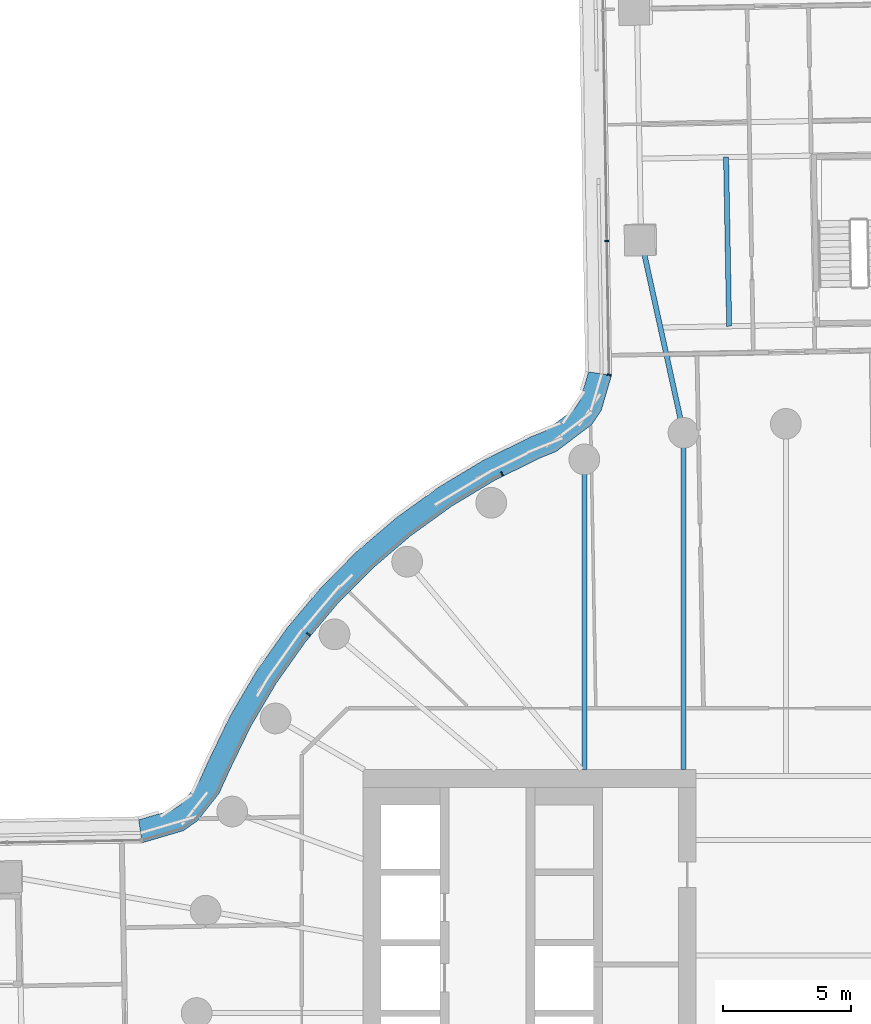
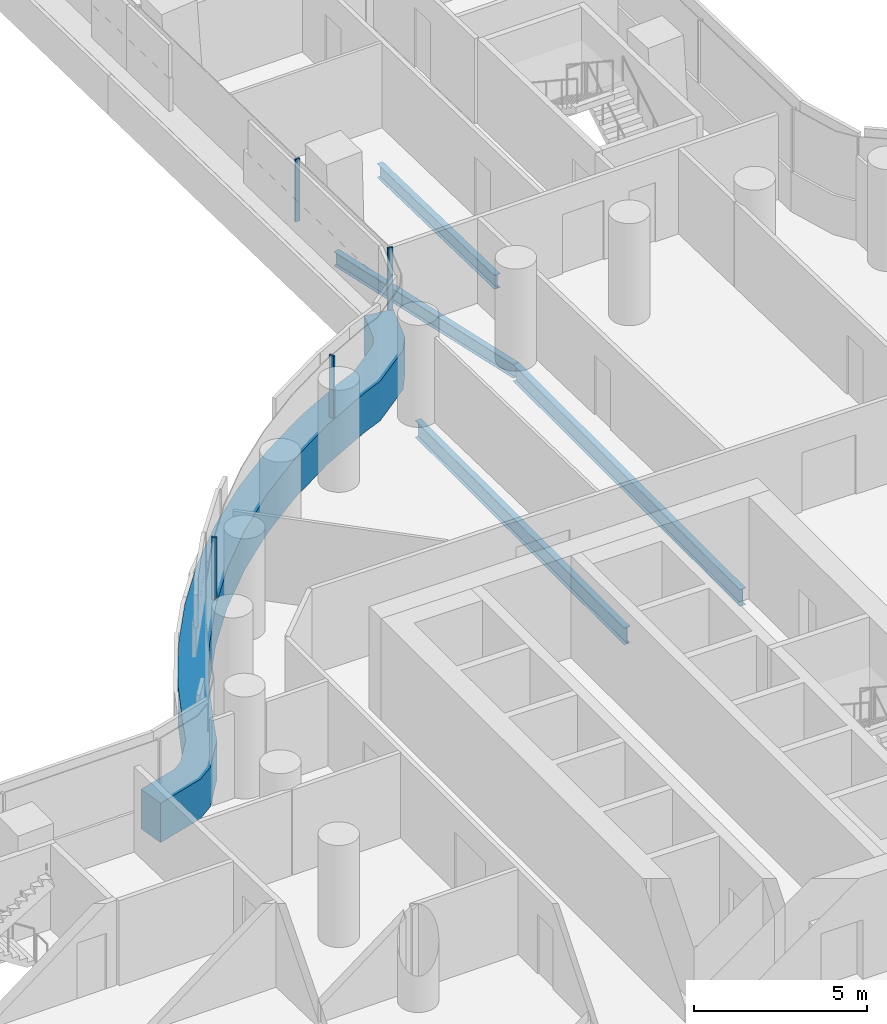
# One storey, part 13 of 31: 5 members, 4 beams, 2 elements without a shape of their own.
"""IFC4 building model written with IfcOpenShell, lengths in metres."""

import ifcopenshell
import ifcopenshell.guid

model = None  # the IFC model being written
_history = None  # IfcOwnerHistory: only IFC2X3 demands one
_inside = {}  # id of a spatial element -> (the spatial element, [elements in it])
_under = {}  # id of a project, library or spatial element -> (it, [spatial elements below it])
_declared = {}  # id of a project -> (the project, [libraries it declares])
_typed = {}  # id of a type object -> (the type object, [elements of that type])
_made_of = {}  # id of a material, layer set ... -> (it, [elements and type objects made of it])


def new_model(schema):
    """Start an empty IFC model of exactly this schema.

    Asked for "IFC4X3", IfcOpenShell would pick the latest addendum, in which some entities
    have other attributes; the version numbers below select the first issue.
    IFC2X3 requires an IfcOwnerHistory on every rooted entity: one is made here for all.
    """
    global model, _history
    if schema == "IFC4X3":
        model = ifcopenshell.file(schema_version=(4, 3, 0, 0))
    else:
        model = ifcopenshell.file(schema=schema)
    _inside.clear()
    _under.clear()
    _declared.clear()
    _typed.clear()
    _made_of.clear()
    _history = None
    if model.schema == "IFC2X3":
        org = make("IfcOrganization", Name="unknown")
        user = make(
            "IfcPersonAndOrganization",
            ThePerson=make("IfcPerson", FamilyName="unknown"),
            TheOrganization=org,
        )
        app = make(
            "IfcApplication",
            ApplicationDeveloper=org,
            Version="unknown",
            ApplicationFullName="unknown",
            ApplicationIdentifier="unknown",
        )
        _history = make(
            "IfcOwnerHistory",
            OwningUser=user,
            OwningApplication=app,
            ChangeAction="ADDED",
            CreationDate=0,
        )
    return model


def make(cls, **values):
    """One entity of the class cls with the attributes given. An attribute that is None is left unset."""
    return model.create_entity(
        cls, **{name: value for name, value in values.items() if value is not None}
    )


def rooted(cls, **values):
    """An entity with a GlobalId (a new one), such as an element, a storey or a relation."""
    return make(cls, GlobalId=ifcopenshell.guid.new(), OwnerHistory=_history, **values)


def si_unit(unit_type, name, prefix=None):
    """IfcSIUnit, for example si_unit("LENGTHUNIT", "METRE", prefix="MILLI")."""
    return make("IfcSIUnit", UnitType=unit_type, Prefix=prefix, Name=name)


def assignment(units):
    """IfcUnitAssignment: the units of a project."""
    return None if units is None else make("IfcUnitAssignment", Units=units)


def point(xyz):
    """IfcCartesianPoint."""
    return None if xyz is None else make("IfcCartesianPoint", Coordinates=xyz)


def direction(xyz):
    """IfcDirection."""
    return None if xyz is None else make("IfcDirection", DirectionRatios=xyz)


def frame(location, z_axis=None, x_axis=None):
    """IfcAxis2Placement3D, a coordinate frame: its origin and axes. An axis left out is left unset."""
    return make(
        "IfcAxis2Placement3D",
        Location=point(location),
        Axis=direction(z_axis),
        RefDirection=direction(x_axis),
    )


def frame_2d(location, x_axis=None):
    """IfcAxis2Placement2D, a coordinate frame in the plane: its origin and x axis."""
    return make(
        "IfcAxis2Placement2D", Location=point(location), RefDirection=direction(x_axis)
    )


def origin():
    """The frame at (0, 0, 0) with its axes left unset."""
    return frame((0.0, 0.0, 0.0))


def origin_2d():
    """The frame at (0, 0) in the plane with its x axis left unset."""
    return frame_2d((0.0, 0.0))


def place(relative_to, where):
    """IfcLocalPlacement: puts the frame where relative to a parent placement (None: the world)."""
    return make(
        "IfcLocalPlacement", PlacementRelTo=relative_to, RelativePlacement=where
    )


def context(
    kind, dimensions, precision=None, world=None, true_north=None, identifier=None
):
    """IfcGeometricRepresentationContext, for example the 3D "Model" context."""
    return make(
        "IfcGeometricRepresentationContext",
        ContextIdentifier=identifier,
        ContextType=kind,
        CoordinateSpaceDimension=dimensions,
        Precision=precision,
        WorldCoordinateSystem=world,
        TrueNorth=true_north,
    )


def subcontext(parent, identifier, kind, view, scale=None):
    """IfcGeometricRepresentationSubContext, for example "Body" below "Model"."""
    return make(
        "IfcGeometricRepresentationSubContext",
        ContextIdentifier=identifier,
        ContextType=kind,
        ParentContext=parent,
        TargetScale=scale,
        TargetView=view,
    )


def project(units=None, contexts=None):
    """IfcProject with its units and contexts."""
    return rooted(
        "IfcProject",
        Name="project",
        RepresentationContexts=contexts,
        UnitsInContext=assignment(units),
    )


def spatial(cls, under=None, at=None, **own):
    """A site, building, storey or space (cls), placed at a placement, below another one or the project."""
    s = rooted(cls, ObjectPlacement=at, **own)
    if under is not None:
        _under.setdefault(under.id(), (under, []))[1].append(s)
    return s


def polyline(points):
    """IfcPolyline through the points."""
    return make("IfcPolyline", Points=[point(p) for p in points])


def profile(cls, at=None, kind="AREA", **sizes):
    """A parametric profile (cls). Its sizes go by their IFC names, for example OverallWidth=200.0."""
    return make(cls, ProfileType=kind, Position=at, **sizes)


def rectangle(**sizes):
    """IfcRectangleProfileDef."""
    return profile("IfcRectangleProfileDef", **sizes)


def i_section(**sizes):
    """IfcIShapeProfileDef."""
    return profile("IfcIShapeProfileDef", **sizes)


def outline(outer, holes=None, kind="AREA"):
    """IfcArbitraryClosedProfileDef: a profile drawn as a closed curve; with holes, ...WithVoids."""
    if holes is None:
        return make("IfcArbitraryClosedProfileDef", ProfileType=kind, OuterCurve=outer)
    return make(
        "IfcArbitraryProfileDefWithVoids",
        ProfileType=kind,
        OuterCurve=outer,
        InnerCurves=holes,
    )


def extrude(swept, where, along, depth):
    """IfcExtrudedAreaSolid: the profile swept, set in the frame where, extruded along a direction by depth."""
    return make(
        "IfcExtrudedAreaSolid",
        SweptArea=swept,
        Position=where,
        ExtrudedDirection=direction(along),
        Depth=depth,
    )


def shape(context_of_items, identifier, shape_type, items):
    """IfcShapeRepresentation: the items that make up one representation, for example the "Body"."""
    return make(
        "IfcShapeRepresentation",
        ContextOfItems=context_of_items,
        RepresentationIdentifier=identifier,
        RepresentationType=shape_type,
        Items=items,
    )


def material(Name=None, Category=None):
    """IfcMaterial."""
    return make("IfcMaterial", Name=Name, Category=Category)


def layer(
    of_material, thickness, ventilated=None, Name=None, Category=None, Priority=None
):
    """IfcMaterialLayer: one layer of a wall or slab, of a material (None: an air gap)."""
    return make(
        "IfcMaterialLayer",
        Material=of_material,
        LayerThickness=thickness,
        IsVentilated=ventilated,
        Name=Name,
        Category=Category,
        Priority=Priority,
    )


def layer_set(layers, Name=None):
    """IfcMaterialLayerSet."""
    return make("IfcMaterialLayerSet", MaterialLayers=layers, LayerSetName=Name)


def material_profile(
    of_material, cross_section, Name=None, Category=None, Priority=None
):
    """IfcMaterialProfile: a cross section and its material."""
    return make(
        "IfcMaterialProfile",
        Name=Name,
        Material=of_material,
        Profile=cross_section,
        Priority=Priority,
        Category=Category,
    )


def profile_set(profiles, Name=None, composite=None):
    """IfcMaterialProfileSet."""
    return make(
        "IfcMaterialProfileSet",
        Name=Name,
        MaterialProfiles=profiles,
        CompositeProfile=composite,
    )


def made_of(thing, what):
    """Note that an element or type object is made of a material, layer set ...; save() writes the relation."""
    if what is not None:
        _made_of.setdefault(what.id(), (what, []))[1].append(thing)
    return thing


def type_object(cls, material=None, **own):
    """A type object (cls), such as IfcWallType, which elements share."""
    return made_of(rooted(cls, **own), material)


def element(
    cls,
    number,
    at=None,
    inside=None,
    cuts=None,
    type_object=None,
    material=None,
    context=None,
    identifier="Body",
    shape_type=None,
    held_by="IfcProductDefinitionShape",
    body=None,
    shapes=None,
    **own,
):
    """One element of the class cls, such as IfcWall. Its Tag is "e" and its number.

    at: its placement. inside: the storey or other place that contains it. cuts: it is an
    opening in that element (IfcRelVoidsElement). A single representation is given by context,
    identifier, shape_type and body (its items); several are given by shapes. held_by: the class
    of the entity that holds the representations. save() writes the other relations.
    """
    e = rooted(cls, Tag="e%d" % number, ObjectPlacement=at, **own)
    if body is not None:
        shapes = [shape(context, identifier, shape_type, body)]
    if shapes is not None:
        e.Representation = make(held_by, Representations=shapes)
    if inside is not None:
        _inside.setdefault(inside.id(), (inside, []))[1].append(e)
    if cuts is not None:
        rooted(
            "IfcRelVoidsElement", RelatingBuildingElement=cuts, RelatedOpeningElement=e
        )
    if type_object is not None:
        _typed.setdefault(type_object.id(), (type_object, []))[1].append(e)
    return made_of(e, material)


def aggregate(whole, parts):
    """IfcRelAggregates: a whole, such as a stair, and the parts it consists of."""
    return rooted("IfcRelAggregates", RelatingObject=whole, RelatedObjects=parts)


def save(model, path):
    """Write the relations noted so far, then the file.

    IfcRelAggregates (storeys below a building ...), IfcRelContainedInSpatialStructure (elements
    in a storey), IfcRelDefinesByType, IfcRelAssociatesMaterial and IfcRelDeclares: one each for
    every whole, place, type object, material and project.
    """
    for whole, parts in _under.values():
        aggregate(whole, parts)
    for where, things in _inside.values():
        rooted(
            "IfcRelContainedInSpatialStructure",
            RelatedElements=things,
            RelatingStructure=where,
        )
    for kind, things in _typed.values():
        rooted("IfcRelDefinesByType", RelatedObjects=things, RelatingType=kind)
    for what, things in _made_of.values():
        rooted("IfcRelAssociatesMaterial", RelatedObjects=things, RelatingMaterial=what)
    for by, libraries in _declared.values():
        rooted("IfcRelDeclares", RelatingContext=by, RelatedDefinitions=libraries)
    model.write(path)


model = new_model("IFC4")

# Units and contexts
model_context = context("Model", 3, precision=1e-05, world=origin(), true_north=direction((0.0, 1.0)))
body_context = subcontext(model_context, "Body", "Model", "MODEL_VIEW")
ifc_project = project(units=[si_unit("LENGTHUNIT", "METRE"), si_unit("AREAUNIT", "SQUARE_METRE"), si_unit("VOLUMEUNIT", "CUBIC_METRE"), si_unit("PLANEANGLEUNIT", "RADIAN"), si_unit("MASSUNIT", "GRAM", prefix="KILO")], contexts=[model_context])

# Site, building, storey
site_placement = place(None, origin())
site = spatial("IfcSite", under=ifc_project, at=site_placement, CompositionType="ELEMENT")
building_placement = place(site_placement, origin())
building = spatial("IfcBuilding", under=site, at=building_placement, Name="Tamarind Cross Interchange Tower", CompositionType="ELEMENT")
storey_placement = place(building_placement, frame((0.0, 0.0, 37.75)))
storey = spatial("IfcBuildingStorey", under=building, at=storey_placement, Name="L07", CompositionType="ELEMENT", Elevation=37.75)

# Beams
ifc_material_1 = material(Name="Steel Q355B", Category="steel")
ifc_material_profile_1 = material_profile(ifc_material_1, i_section(OverallWidth=0.198974609375, OverallDepth=0.49609375, WebThickness=0.009033203125, FlangeThickness=0.013916015625, FilletRadius=0.012939453125, at=origin_2d()), Name="HN 496x199x9x14")
ifc_profile_set_1 = profile_set([ifc_material_profile_1], Name="Steel Q355B")
beam_type_1 = type_object("IfcBeamType", Name="Composite beam HN 496x199x9x14 Q355B", PredefinedType="BEAM", material=ifc_profile_set_1)
beam_1_placement = place(storey_placement, frame((-5.650390625, 30.1982421875, -0.387939453125), z_axis=(0.214370535732, -0.97675241152, 0.0), x_axis=(0.97675241152, 0.214370535732, 0.0)))
element("IfcBeam", 1, at=beam_1_placement, inside=storey, type_object=beam_type_1, Name="Beam N-linkep", PredefinedType="BEAM", context=body_context, shape_type="SweptSolid", body=[
    extrude(i_section(OverallWidth=0.198974609375, OverallDepth=0.49609375, WebThickness=0.009033203125, FlangeThickness=0.013916015625, FilletRadius=0.012939453125, at=origin_2d()), origin(), (0.0, 0.0, 1.0), 7.727294921875),
])
beam_2_placement = place(storey_placement, frame((-2.213134765625, 26.810546875, -0.387939453125), z_axis=(-0.018236635224, 0.99983369874, 0.0), x_axis=(-0.99983369874, -0.018236635224, 0.0)))
element("IfcBeam", 2, at=beam_2_placement, inside=storey, type_object=beam_type_1, Name="Beam N-stripp", PredefinedType="BEAM", context=body_context, shape_type="SweptSolid", body=[
    extrude(i_section(OverallWidth=0.198974609375, OverallDepth=0.49609375, WebThickness=0.009033203125, FlangeThickness=0.013916015625, FilletRadius=0.012939453125, at=origin_2d()), origin(), (0.0, 0.0, 1.0), 6.599853515625),
])
ifc_material_profile_2 = material_profile(ifc_material_1, i_section(OverallWidth=0.198974609375, OverallDepth=0.595947265625, WebThickness=0.010009765625, FlangeThickness=0.014892578125, FilletRadius=0.012939453125, at=origin_2d()), Name="HN 596x199x10x15")
ifc_profile_set_2 = profile_set([ifc_material_profile_2], Name="Steel Q355B")
beam_type_2 = type_object("IfcBeamType", Name="Composite beam HN 596x199x10x15 Q355B", PredefinedType="BEAM", material=ifc_profile_set_2)
beam_3_placement = place(storey_placement, frame((-3.993896484375, 22.650634765625, -0.43798828125), z_axis=(0.0, -1.0, 0.0), x_axis=(1.0, 0.0, 0.0)))
element("IfcBeam", 3, at=beam_3_placement, inside=storey, type_object=beam_type_2, Name="Beam HH10", PredefinedType="BEAM", context=body_context, shape_type="SweptSolid", body=[
    extrude(i_section(OverallWidth=0.198974609375, OverallDepth=0.595947265625, WebThickness=0.010009765625, FlangeThickness=0.014892578125, FilletRadius=0.012939453125, at=origin_2d()), origin(), (0.0, 0.0, 1.0), 13.150634765625),
])
beam_4_placement = place(storey_placement, frame((-7.866455078125, 21.613037109375, -0.43798828125), z_axis=(0.0, -1.0, 0.0), x_axis=(1.0, 0.0, 0.0)))
element("IfcBeam", 4, at=beam_4_placement, inside=storey, type_object=beam_type_2, Name="Beam HH11", PredefinedType="BEAM", context=body_context, shape_type="SweptSolid", body=[
    extrude(i_section(OverallWidth=0.198974609375, OverallDepth=0.595947265625, WebThickness=0.010009765625, FlangeThickness=0.014892578125, FilletRadius=0.012939453125, at=origin_2d()), origin(), (0.0, 0.0, 1.0), 12.113037109375),
])

# Curtain wall, member
ifc_material_2 = material(Name="Aluminium 6063-T6", Category="aluminium")
ifc_layer = layer(ifc_material_2, 0.159912109375)
ifc_layer_set = layer_set([ifc_layer], Name="Aluminium 6063-T6")
curtain_wall_type = type_object("IfcCurtainWallType", Name="Office curtain wall, 9.0 m bays", PredefinedType="NOTDEFINED", material=ifc_layer_set)
curtain_wall_1_placement = place(storey_placement, origin())
curtain_wall_1 = element("IfcCurtainWall", 5, at=curtain_wall_1_placement, inside=storey, type_object=curtain_wall_type, Name="CWS-L07-02", PredefinedType="NOTDEFINED")
ifc_material_3 = material(Name="Aluminium and insulated spandrel panel", Category="aluminium")
member_type_1 = type_object("IfcMemberType", Name="Floor-edge blade transom", PredefinedType="USERDEFINED", material=ifc_material_3)
member_1_placement = place(storey_placement, origin())
member_1 = element("IfcMember", 6, at=member_1_placement, type_object=member_type_1, Name="CWT-L07-02", ObjectType="TRANSOM", PredefinedType="USERDEFINED", context=body_context, shape_type="SweptSolid", body=[
    extrude(outline(polyline([(-6.7998046875, 24.904052734375), (-7.203369140625, 23.531982421875), (-7.58251953125, 22.966064453125), (-8.958984375, 21.923095703125), (-9.610595703125, 21.6591796875), (-11.367431640625, 20.791015625), (-13.045654296875, 19.78125), (-14.634521484375, 18.636474609375), (-16.12353515625, 17.3642578125), (-17.50244140625, 15.973388671875), (-18.76171875, 14.4736328125), (-19.892822265625, 12.874755859375), (-20.88818359375, 11.188232421875), (-21.744140625, 9.417724609375), (-22.117919921875, 8.582275390625), (-22.972900390625, 7.496826171875), (-23.516357421875, 7.118408203125), (-25.127197265625, 6.64404296875), (-25.264892578125, 7.541748046875), (-23.910888671875, 7.9404296875), (-23.59716796875, 8.158935546875), (-22.89404296875, 9.0517578125), (-22.56005859375, 9.797607421875), (-21.68212890625, 11.613525390625), (-20.64892578125, 13.3642578125), (-19.474853515625, 15.023681640625), (-18.167724609375, 16.580810546875), (-16.736572265625, 18.0244140625), (-15.19091796875, 19.344970703125), (-13.54150390625, 20.533203125), (-11.799560546875, 21.581298828125), (-9.9794921875, 22.48095703125), (-9.407470703125, 22.71240234375), (-8.246337890625, 23.59228515625), (-8.02783203125, 23.91845703125), (-7.701904296875, 25.026611328125), (-6.7998046875, 24.904052734375)])), origin(), (0.0, 0.0, 1.0), 1.39990234375),
])

curtain_wall_2_placement = place(storey_placement, origin())
curtain_wall_2 = element("IfcCurtainWall", 7, at=curtain_wall_2_placement, inside=storey, type_object=curtain_wall_type, Name="CWS-L07-01", PredefinedType="NOTDEFINED")
ifc_material_profile_3 = material_profile(ifc_material_2, rectangle(XDim=0.06005859375, YDim=0.159912109375, at=origin_2d()), Name="Mullion CW1")
ifc_profile_set_3 = profile_set([ifc_material_profile_3], Name="Aluminium 6063-T6")
member_type_2 = type_object("IfcMemberType", Name="Mullion CW1", PredefinedType="MULLION", material=ifc_profile_set_3)
member_2_placement = place(storey_placement, frame((-6.984619140625, 30.144287109375, 1.39990234375), z_axis=(0.0, 0.0, 1.0), x_axis=(0.016194126045, -0.999868866543, 0.0)))
member_2 = element("IfcMember", 8, at=member_2_placement, type_object=member_type_2, Name="CWM-L07-01-02", PredefinedType="MULLION", context=body_context, shape_type="SweptSolid", body=[
    extrude(rectangle(XDim=0.06005859375, YDim=0.159912109375, at=origin_2d()), origin(), (0.0, 0.0, 1.0), 2.210205078125),
])
aggregate(curtain_wall_2, [member_2])

# Member
member_3_placement = place(storey_placement, frame((-6.900146484375, 24.917724609375, 1.39990234375), z_axis=(0.0, 0.0, 1.0), x_axis=(-0.134501213808, -0.990913428854, 0.0)))
member_3 = element("IfcMember", 9, at=member_3_placement, type_object=member_type_2, Name="CWM-L07-02-00", PredefinedType="MULLION", context=body_context, shape_type="SweptSolid", body=[
    extrude(rectangle(XDim=0.06005859375, YDim=0.159912109375, at=origin_2d()), origin(), (0.0, 0.0, 1.0), 2.210205078125),
])

member_4_placement = place(storey_placement, frame((-11.078857421875, 21.045166015625, 1.39990234375), z_axis=(0.0, 0.0, 1.0), x_axis=(-0.896492548518, -0.443058811505, 0.0)))
member_4 = element("IfcMember", 10, at=member_4_placement, type_object=member_type_2, Name="CWM-L07-02-01", PredefinedType="MULLION", context=body_context, shape_type="SweptSolid", body=[
    extrude(rectangle(XDim=0.06005859375, YDim=0.159912109375, at=origin_2d()), origin(), (0.0, 0.0, 1.0), 2.210205078125),
])

member_5_placement = place(storey_placement, frame((-18.631103515625, 14.784423828125, 1.39990234375), z_axis=(0.0, 0.0, 1.0), x_axis=(-0.643009266048, -0.765858396687, 0.0)))
member_5 = element("IfcMember", 11, at=member_5_placement, type_object=member_type_2, Name="CWM-L07-02-02", PredefinedType="MULLION", context=body_context, shape_type="SweptSolid", body=[
    extrude(rectangle(XDim=0.06005859375, YDim=0.159912109375, at=origin_2d()), origin(), (0.0, 0.0, 1.0), 2.210205078125),
])

aggregate(curtain_wall_1, [member_3, member_4, member_5, member_1])

save(model, "model.ifc")
